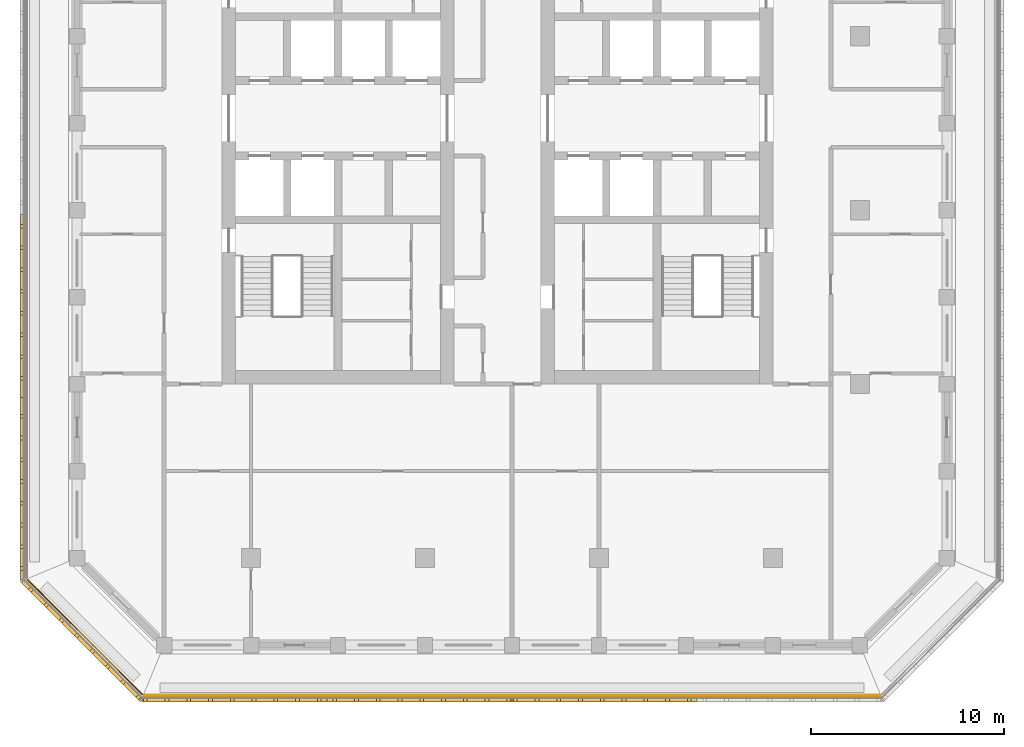
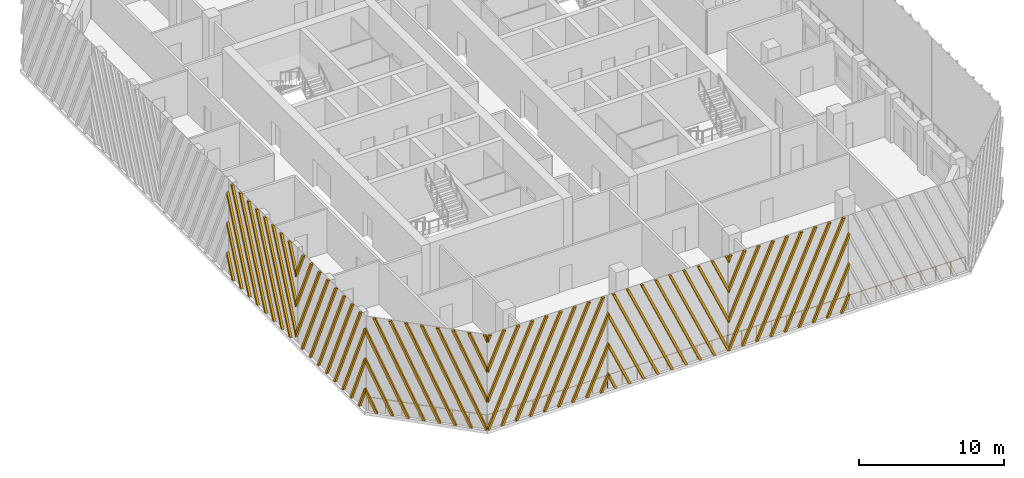
# One storey, part 9 of 17: 6 shading devices, 2 railings.
"""IFC4 building model written with IfcOpenShell, lengths in metres."""

from ifc_helpers import new_model, si_unit, direction, frame, origin, origin_2d, place, context, subcontext, project, spatial, polyline, circle, outline, extrude, source, transform, mapped, material, type_object, element, save


model = new_model("IFC4")

# Units and contexts
model_context = context("Model", 3, precision=1e-05, world=origin(), true_north=direction((0.0, 1.0)))
body_context = subcontext(model_context, "Body", "Model", "MODEL_VIEW")
ifc_project = project(units=[si_unit("LENGTHUNIT", "METRE"), si_unit("AREAUNIT", "SQUARE_METRE"), si_unit("VOLUMEUNIT", "CUBIC_METRE"), si_unit("PLANEANGLEUNIT", "RADIAN"), si_unit("MASSUNIT", "GRAM", prefix="KILO")], contexts=[model_context])

# Site, building, storey
site_placement = place(None, origin())
site = spatial("IfcSite", under=ifc_project, at=site_placement, CompositionType="ELEMENT")
building_placement = place(site_placement, origin())
building = spatial("IfcBuilding", under=site, at=building_placement, Name="Corbel Stack Research Tower", CompositionType="ELEMENT")
storey_placement = place(building_placement, frame((0.0, 0.0, 248.0)))
storey = spatial("IfcBuildingStorey", under=building, at=storey_placement, Name="L56", CompositionType="ELEMENT", Elevation=248.0)

# Railings
ifc_material_1 = material(Name="Powder-coated steel guard", Category="steel")
railing_type = type_object("IfcRailingType", Name="Steel and glass guard 1100", PredefinedType="GUARDRAIL", material=ifc_material_1)
railing_1_placement = place(storey_placement, frame((-14.50537109375, -25.10009765625, 0.0)))
element("IfcRailing", 1, at=railing_1_placement, inside=storey, type_object=railing_type, Name="Loggia guard L56 S", PredefinedType="GUARDRAIL", context=body_context, shape_type="SweptSolid", body=[
    extrude(circle(Radius=0.02392578125, at=origin_2d()), frame((0.0, 0.0, 1.076171875), z_axis=(1.0, 0.0, 0.0), x_axis=(0.0, 1.0, 0.0)), (0.0, 0.0, 1.0), 38.0107421875),
    extrude(circle(Radius=0.02099609375, at=origin_2d()), origin(), (0.0, 0.0, 1.0), 1.052001953125),
    extrude(circle(Radius=0.02099609375, at=origin_2d()), frame((1.187744140625, 0.0, 0.0)), (0.0, 0.0, 1.0), 1.052001953125),
    extrude(circle(Radius=0.02099609375, at=origin_2d()), frame((2.375732421875, 0.0, 0.0)), (0.0, 0.0, 1.0), 1.052001953125),
    extrude(circle(Radius=0.02099609375, at=origin_2d()), frame((3.5634765625, 0.0, 0.0)), (0.0, 0.0, 1.0), 1.052001953125),
    extrude(circle(Radius=0.02099609375, at=origin_2d()), frame((4.75146484375, 0.0, 0.0)), (0.0, 0.0, 1.0), 1.052001953125),
    extrude(circle(Radius=0.02099609375, at=origin_2d()), frame((5.939208984375, 0.0, 0.0)), (0.0, 0.0, 1.0), 1.052001953125),
    extrude(circle(Radius=0.02099609375, at=origin_2d()), frame((7.126953125, 0.0, 0.0)), (0.0, 0.0, 1.0), 1.052001953125),
    extrude(circle(Radius=0.02099609375, at=origin_2d()), frame((8.31494140625, 0.0, 0.0)), (0.0, 0.0, 1.0), 1.052001953125),
    extrude(circle(Radius=0.02099609375, at=origin_2d()), frame((9.502685546875, 0.0, 0.0)), (0.0, 0.0, 1.0), 1.052001953125),
    extrude(circle(Radius=0.02099609375, at=origin_2d()), frame((10.6904296875, 0.0, 0.0)), (0.0, 0.0, 1.0), 1.052001953125),
    extrude(circle(Radius=0.02099609375, at=origin_2d()), frame((11.87841796875, 0.0, 0.0)), (0.0, 0.0, 1.0), 1.052001953125),
    extrude(circle(Radius=0.02099609375, at=origin_2d()), frame((13.066162109375, 0.0, 0.0)), (0.0, 0.0, 1.0), 1.052001953125),
    extrude(circle(Radius=0.02099609375, at=origin_2d()), frame((14.25390625, 0.0, 0.0)), (0.0, 0.0, 1.0), 1.052001953125),
    extrude(circle(Radius=0.02099609375, at=origin_2d()), frame((15.44189453125, 0.0, 0.0)), (0.0, 0.0, 1.0), 1.052001953125),
    extrude(circle(Radius=0.02099609375, at=origin_2d()), frame((16.629638671875, 0.0, 0.0)), (0.0, 0.0, 1.0), 1.052001953125),
    extrude(circle(Radius=0.02099609375, at=origin_2d()), frame((17.817626953125, 0.0, 0.0)), (0.0, 0.0, 1.0), 1.052001953125),
    extrude(circle(Radius=0.02099609375, at=origin_2d()), frame((19.00537109375, 0.0, 0.0)), (0.0, 0.0, 1.0), 1.052001953125),
    extrude(circle(Radius=0.02099609375, at=origin_2d()), frame((20.193115234375, 0.0, 0.0)), (0.0, 0.0, 1.0), 1.052001953125),
    extrude(circle(Radius=0.02099609375, at=origin_2d()), frame((21.381103515625, 0.0, 0.0)), (0.0, 0.0, 1.0), 1.052001953125),
    extrude(circle(Radius=0.02099609375, at=origin_2d()), frame((22.56884765625, 0.0, 0.0)), (0.0, 0.0, 1.0), 1.052001953125),
    extrude(circle(Radius=0.02099609375, at=origin_2d()), frame((23.7568359375, 0.0, 0.0)), (0.0, 0.0, 1.0), 1.052001953125),
    extrude(circle(Radius=0.02099609375, at=origin_2d()), frame((24.944580078125, 0.0, 0.0)), (0.0, 0.0, 1.0), 1.052001953125),
    extrude(circle(Radius=0.02099609375, at=origin_2d()), frame((26.13232421875, 0.0, 0.0)), (0.0, 0.0, 1.0), 1.052001953125),
    extrude(circle(Radius=0.02099609375, at=origin_2d()), frame((27.3203125, 0.0, 0.0)), (0.0, 0.0, 1.0), 1.052001953125),
    extrude(circle(Radius=0.02099609375, at=origin_2d()), frame((28.508056640625, 0.0, 0.0)), (0.0, 0.0, 1.0), 1.052001953125),
    extrude(circle(Radius=0.02099609375, at=origin_2d()), frame((29.69580078125, 0.0, 0.0)), (0.0, 0.0, 1.0), 1.052001953125),
    extrude(circle(Radius=0.02099609375, at=origin_2d()), frame((30.8837890625, 0.0, 0.0)), (0.0, 0.0, 1.0), 1.052001953125),
    extrude(circle(Radius=0.02099609375, at=origin_2d()), frame((32.071533203125, 0.0, 0.0)), (0.0, 0.0, 1.0), 1.052001953125),
    extrude(circle(Radius=0.02099609375, at=origin_2d()), frame((33.25927734375, 0.0, 0.0)), (0.0, 0.0, 1.0), 1.052001953125),
    extrude(circle(Radius=0.02099609375, at=origin_2d()), frame((34.447265625, 0.0, 0.0)), (0.0, 0.0, 1.0), 1.052001953125),
    extrude(circle(Radius=0.02099609375, at=origin_2d()), frame((35.635009765625, 0.0, 0.0)), (0.0, 0.0, 1.0), 1.052001953125),
    extrude(circle(Radius=0.02099609375, at=origin_2d()), frame((36.822998046875, 0.0, 0.0)), (0.0, 0.0, 1.0), 1.052001953125),
    extrude(circle(Radius=0.02099609375, at=origin_2d()), frame((38.0107421875, 0.0, 0.0)), (0.0, 0.0, 1.0), 1.052001953125),
])
railing_2_placement = place(storey_placement, frame((-20.54931640625, -19.127685546875, 0.0)))
element("IfcRailing", 2, at=railing_2_placement, inside=storey, type_object=railing_type, Name="Loggia guard L56 SW", PredefinedType="GUARDRAIL", context=body_context, shape_type="SweptSolid", body=[
    extrude(circle(Radius=0.02392578125, at=origin_2d()), frame((0.0, 0.0, 1.076171875), z_axis=(0.707106781187, -0.707106781187, 0.0), x_axis=(0.707106781187, 0.707106781187, 0.0)), (0.0, 0.0, 1.0), 8.37451171875),
    extrude(circle(Radius=0.02099609375, at=origin_2d()), origin(), (0.0, 0.0, 1.0), 1.052001953125),
    extrude(circle(Radius=0.02099609375, at=origin_2d()), frame((0.845947265625, -0.845947265625, 0.0)), (0.0, 0.0, 1.0), 1.052001953125),
    extrude(circle(Radius=0.02099609375, at=origin_2d()), frame((1.69189453125, -1.69189453125, 0.0)), (0.0, 0.0, 1.0), 1.052001953125),
    extrude(circle(Radius=0.02099609375, at=origin_2d()), frame((2.537841796875, -2.537841796875, 0.0)), (0.0, 0.0, 1.0), 1.052001953125),
    extrude(circle(Radius=0.02099609375, at=origin_2d()), frame((3.3837890625, -3.3837890625, 0.0)), (0.0, 0.0, 1.0), 1.052001953125),
    extrude(circle(Radius=0.02099609375, at=origin_2d()), frame((4.229736328125, -4.229736328125, 0.0)), (0.0, 0.0, 1.0), 1.052001953125),
    extrude(circle(Radius=0.02099609375, at=origin_2d()), frame((5.07568359375, -5.07568359375, 0.0)), (0.0, 0.0, 1.0), 1.052001953125),
    extrude(circle(Radius=0.02099609375, at=origin_2d()), frame((5.921630859375, -5.921630859375, 0.0)), (0.0, 0.0, 1.0), 1.052001953125),
])

# Shading devices
ifc_material_2 = material(Name="Precast terracotta", Category="masonry")
shading_device_type = type_object("IfcShadingDeviceType", Name="Terracotta screen panel", PredefinedType="USERDEFINED", material=ifc_material_2)
shared_shape_1 = source(origin(), body_context, "Body", "SweptSolid", [
    extrude(outline(polyline([(0.259521484375, 7.949951171875), (0.069580078125, 7.949951171875), (0.0, 7.793701171875), (0.0, 7.366943359375), (0.259521484375, 7.949951171875)])), frame((0.0, 0.0, 0.0), z_axis=(0.0, -1.0, 0.0), x_axis=(1.0, 0.0, 0.0)), (0.0, 0.0, 1.0), 0.179931640625),
    extrude(outline(polyline([(1.384521484375, 7.949951171875), (1.194580078125, 7.949951171875), (0.0, 5.26708984375), (0.0, 4.840087890625), (1.384521484375, 7.949951171875)])), frame((0.0, 0.0, 0.0), z_axis=(0.0, -1.0, 0.0), x_axis=(1.0, 0.0, 0.0)), (0.0, 0.0, 1.0), 0.179931640625),
    extrude(outline(polyline([(2.509521484375, 7.949951171875), (2.319580078125, 7.949951171875), (0.0, 2.740234375), (0.0, 2.3134765625), (2.509521484375, 7.949951171875)])), frame((0.0, 0.0, 0.0), z_axis=(0.0, -1.0, 0.0), x_axis=(1.0, 0.0, 0.0)), (0.0, 0.0, 1.0), 0.179931640625),
    extrude(outline(polyline([(0.094970703125, 0.0), (3.634521484375, 7.949951171875), (3.444580078125, 7.949951171875), (0.0, 0.21337890625), (0.0, 0.0), (0.094970703125, 0.0)])), frame((0.0, 0.0, 0.0), z_axis=(0.0, -1.0, 0.0), x_axis=(1.0, 0.0, 0.0)), (0.0, 0.0, 1.0), 0.179931640625),
    extrude(outline(polyline([(1.219970703125, 0.0), (4.759521484375, 7.949951171875), (4.569580078125, 7.949951171875), (1.030029296875, 0.0), (1.219970703125, 0.0)])), frame((0.0, 0.0, 0.0), z_axis=(0.0, -1.0, 0.0), x_axis=(1.0, 0.0, 0.0)), (0.0, 0.0, 1.0), 0.179931640625),
    extrude(outline(polyline([(2.344970703125, 0.0), (5.884521484375, 7.949951171875), (5.694580078125, 7.949951171875), (2.155029296875, 0.0), (2.344970703125, 0.0)])), frame((0.0, 0.0, 0.0), z_axis=(0.0, -1.0, 0.0), x_axis=(1.0, 0.0, 0.0)), (0.0, 0.0, 1.0), 0.179931640625),
    extrude(outline(polyline([(3.469970703125, 0.0), (7.009521484375, 7.949951171875), (6.819580078125, 7.949951171875), (3.280029296875, 0.0), (3.469970703125, 0.0)])), frame((0.0, 0.0, 0.0), z_axis=(0.0, -1.0, 0.0), x_axis=(1.0, 0.0, 0.0)), (0.0, 0.0, 1.0), 0.179931640625),
    extrude(outline(polyline([(4.594970703125, 0.0), (8.134521484375, 7.949951171875), (7.944580078125, 7.949951171875), (4.405029296875, 0.0), (4.594970703125, 0.0)])), frame((0.0, 0.0, 0.0), z_axis=(0.0, -1.0, 0.0), x_axis=(1.0, 0.0, 0.0)), (0.0, 0.0, 1.0), 0.179931640625),
    extrude(outline(polyline([(5.719970703125, 0.0), (9.259521484375, 7.949951171875), (9.069580078125, 7.949951171875), (5.530029296875, 0.0), (5.719970703125, 0.0)])), frame((0.0, 0.0, 0.0), z_axis=(0.0, -1.0, 0.0), x_axis=(1.0, 0.0, 0.0)), (0.0, 0.0, 1.0), 0.179931640625),
    extrude(outline(polyline([(6.844970703125, 0.0), (9.569580078125, 6.119384765625), (9.569580078125, 6.546142578125), (6.655029296875, 0.0), (6.844970703125, 0.0)])), frame((0.0, 0.0, 0.0), z_axis=(0.0, -1.0, 0.0), x_axis=(1.0, 0.0, 0.0)), (0.0, 0.0, 1.0), 0.179931640625),
    extrude(outline(polyline([(7.969970703125, 0.0), (9.569580078125, 3.592529296875), (9.569580078125, 4.019287109375), (7.780029296875, 0.0), (7.969970703125, 0.0)])), frame((0.0, 0.0, 0.0), z_axis=(0.0, -1.0, 0.0), x_axis=(1.0, 0.0, 0.0)), (0.0, 0.0, 1.0), 0.179931640625),
    extrude(outline(polyline([(9.094970703125, 0.0), (9.569580078125, 1.06591796875), (9.569580078125, 1.49267578125), (8.905029296875, 0.0), (9.094970703125, 0.0)])), frame((0.0, 0.0, 0.0), z_axis=(0.0, -1.0, 0.0), x_axis=(1.0, 0.0, 0.0)), (0.0, 0.0, 1.0), 0.179931640625),
])
for number, where, z_axis, x_axis, name in (
    (3, (-14.63916015625, -25.25, 0.0), (0.0, 0.0, 1.0), (1.0, 0.0, 0.0), "Terracotta screen L56 S1"),
    (4, (4.5, -25.25, 0.0), (0.0, 0.0, 1.0), (1.0, 0.0, 0.0), "Terracotta screen L56 S3"),
):
    element("IfcShadingDevice", number, at=place(storey_placement, frame(where, z_axis=z_axis, x_axis=x_axis)), inside=storey, type_object=shading_device_type, Name=name, ObjectType="SCREEN", PredefinedType="USERDEFINED", context=body_context, shape_type="MappedRepresentation", body=[
        mapped(shared_shape_1, transform((0.0, 0.0, 0.0))),
    ])
shared_shape_2 = source(origin(), body_context, "Body", "SweptSolid", [
    extrude(outline(polyline([(0.66455078125, 0.0), (0.0, 1.49267578125), (0.0, 1.06591796875), (0.474609375, 0.0), (0.66455078125, 0.0)])), frame((0.0, 0.0, 0.0), z_axis=(0.0, -1.0, 0.0), x_axis=(1.0, 0.0, 0.0)), (0.0, 0.0, 1.0), 0.179931640625),
    extrude(outline(polyline([(1.78955078125, 0.0), (0.0, 4.019287109375), (0.0, 3.592529296875), (1.599609375, 0.0), (1.78955078125, 0.0)])), frame((0.0, 0.0, 0.0), z_axis=(0.0, -1.0, 0.0), x_axis=(1.0, 0.0, 0.0)), (0.0, 0.0, 1.0), 0.179931640625),
    extrude(outline(polyline([(2.91455078125, 0.0), (0.0, 6.546142578125), (0.0, 6.119384765625), (2.724609375, 0.0), (2.91455078125, 0.0)])), frame((0.0, 0.0, 0.0), z_axis=(0.0, -1.0, 0.0), x_axis=(1.0, 0.0, 0.0)), (0.0, 0.0, 1.0), 0.179931640625),
    extrude(outline(polyline([(4.03955078125, 0.0), (0.5, 7.949951171875), (0.31005859375, 7.949951171875), (3.849609375, 0.0), (4.03955078125, 0.0)])), frame((0.0, 0.0, 0.0), z_axis=(0.0, -1.0, 0.0), x_axis=(1.0, 0.0, 0.0)), (0.0, 0.0, 1.0), 0.179931640625),
    extrude(outline(polyline([(5.16455078125, 0.0), (1.625, 7.949951171875), (1.43505859375, 7.949951171875), (4.974609375, 0.0), (5.16455078125, 0.0)])), frame((0.0, 0.0, 0.0), z_axis=(0.0, -1.0, 0.0), x_axis=(1.0, 0.0, 0.0)), (0.0, 0.0, 1.0), 0.179931640625),
    extrude(outline(polyline([(6.28955078125, 0.0), (2.75, 7.949951171875), (2.56005859375, 7.949951171875), (6.099609375, 0.0), (6.28955078125, 0.0)])), frame((0.0, 0.0, 0.0), z_axis=(0.0, -1.0, 0.0), x_axis=(1.0, 0.0, 0.0)), (0.0, 0.0, 1.0), 0.179931640625),
    extrude(outline(polyline([(7.41455078125, 0.0), (3.875, 7.949951171875), (3.68505859375, 7.949951171875), (7.224609375, 0.0), (7.41455078125, 0.0)])), frame((0.0, 0.0, 0.0), z_axis=(0.0, -1.0, 0.0), x_axis=(1.0, 0.0, 0.0)), (0.0, 0.0, 1.0), 0.179931640625),
    extrude(outline(polyline([(8.53955078125, 0.0), (5.0, 7.949951171875), (4.81005859375, 7.949951171875), (8.349609375, 0.0), (8.53955078125, 0.0)])), frame((0.0, 0.0, 0.0), z_axis=(0.0, -1.0, 0.0), x_axis=(1.0, 0.0, 0.0)), (0.0, 0.0, 1.0), 0.179931640625),
    extrude(outline(polyline([(9.569580078125, 0.0), (9.569580078125, 0.21337890625), (6.125, 7.949951171875), (5.93505859375, 7.949951171875), (9.474609375, 0.0), (9.569580078125, 0.0)])), frame((0.0, 0.0, 0.0), z_axis=(0.0, -1.0, 0.0), x_axis=(1.0, 0.0, 0.0)), (0.0, 0.0, 1.0), 0.179931640625),
    extrude(outline(polyline([(7.25, 7.949951171875), (7.06005859375, 7.949951171875), (9.569580078125, 2.3134765625), (9.569580078125, 2.740234375), (7.25, 7.949951171875)])), frame((0.0, 0.0, 0.0), z_axis=(0.0, -1.0, 0.0), x_axis=(1.0, 0.0, 0.0)), (0.0, 0.0, 1.0), 0.179931640625),
    extrude(outline(polyline([(8.375, 7.949951171875), (8.18505859375, 7.949951171875), (9.569580078125, 4.840087890625), (9.569580078125, 5.26708984375), (8.375, 7.949951171875)])), frame((0.0, 0.0, 0.0), z_axis=(0.0, -1.0, 0.0), x_axis=(1.0, 0.0, 0.0)), (0.0, 0.0, 1.0), 0.179931640625),
    extrude(outline(polyline([(9.5, 7.949951171875), (9.31005859375, 7.949951171875), (9.569580078125, 7.366943359375), (9.569580078125, 7.793701171875), (9.5, 7.949951171875)])), frame((0.0, 0.0, 0.0), z_axis=(0.0, -1.0, 0.0), x_axis=(1.0, 0.0, 0.0)), (0.0, 0.0, 1.0), 0.179931640625),
])
shading_device_1_placement = place(storey_placement, frame((-5.069580078125, -25.25, 0.0), z_axis=(0.0, 0.0, 1.0), x_axis=(1.0, 0.0, 0.0)))
element("IfcShadingDevice", 5, at=shading_device_1_placement, inside=storey, type_object=shading_device_type, Name="Terracotta screen L56 S2", ObjectType="SCREEN", PredefinedType="USERDEFINED", context=body_context, shape_type="MappedRepresentation", body=[
    mapped(shared_shape_2, transform((0.0, 0.0, 0.0))),
])
shared_shape_3 = source(origin(), body_context, "Body", "SweptSolid", [
    extrude(outline(polyline([(0.862060546875, 0.0), (0.0, 1.936279296875), (0.0, 1.509521484375), (0.672119140625, 0.0), (0.862060546875, 0.0)])), frame((0.0, 0.0, 0.0), z_axis=(0.0, -1.0, 0.0), x_axis=(1.0, 0.0, 0.0)), (0.0, 0.0, 1.0), 0.179931640625),
    extrude(outline(polyline([(1.987060546875, 0.0), (0.0, 4.463134765625), (0.0, 4.036376953125), (1.797119140625, 0.0), (1.987060546875, 0.0)])), frame((0.0, 0.0, 0.0), z_axis=(0.0, -1.0, 0.0), x_axis=(1.0, 0.0, 0.0)), (0.0, 0.0, 1.0), 0.179931640625),
    extrude(outline(polyline([(3.112060546875, 0.0), (0.0, 6.989990234375), (0.0, 6.563232421875), (2.922119140625, 0.0), (3.112060546875, 0.0)])), frame((0.0, 0.0, 0.0), z_axis=(0.0, -1.0, 0.0), x_axis=(1.0, 0.0, 0.0)), (0.0, 0.0, 1.0), 0.179931640625),
    extrude(outline(polyline([(4.237060546875, 0.0), (0.697509765625, 7.949951171875), (0.507568359375, 7.949951171875), (4.047119140625, 0.0), (4.237060546875, 0.0)])), frame((0.0, 0.0, 0.0), z_axis=(0.0, -1.0, 0.0), x_axis=(1.0, 0.0, 0.0)), (0.0, 0.0, 1.0), 0.179931640625),
    extrude(outline(polyline([(5.362060546875, 0.0), (1.822509765625, 7.949951171875), (1.632568359375, 7.949951171875), (5.172119140625, 0.0), (5.362060546875, 0.0)])), frame((0.0, 0.0, 0.0), z_axis=(0.0, -1.0, 0.0), x_axis=(1.0, 0.0, 0.0)), (0.0, 0.0, 1.0), 0.179931640625),
    extrude(outline(polyline([(6.487060546875, 0.0), (2.947509765625, 7.949951171875), (2.757568359375, 7.949951171875), (6.297119140625, 0.0), (6.487060546875, 0.0)])), frame((0.0, 0.0, 0.0), z_axis=(0.0, -1.0, 0.0), x_axis=(1.0, 0.0, 0.0)), (0.0, 0.0, 1.0), 0.179931640625),
    extrude(outline(polyline([(7.612060546875, 0.0), (4.072509765625, 7.949951171875), (3.882568359375, 7.949951171875), (7.422119140625, 0.0), (7.612060546875, 0.0)])), frame((0.0, 0.0, 0.0), z_axis=(0.0, -1.0, 0.0), x_axis=(1.0, 0.0, 0.0)), (0.0, 0.0, 1.0), 0.179931640625),
    extrude(outline(polyline([(8.737060546875, 0.0), (5.197509765625, 7.949951171875), (5.007568359375, 7.949951171875), (8.547119140625, 0.0), (8.737060546875, 0.0)])), frame((0.0, 0.0, 0.0), z_axis=(0.0, -1.0, 0.0), x_axis=(1.0, 0.0, 0.0)), (0.0, 0.0, 1.0), 0.179931640625),
    extrude(outline(polyline([(6.322509765625, 7.949951171875), (6.132568359375, 7.949951171875), (9.45556640625, 0.486328125), (9.45556640625, 0.9130859375), (6.322509765625, 7.949951171875)])), frame((0.0, 0.0, 0.0), z_axis=(0.0, -1.0, 0.0), x_axis=(1.0, 0.0, 0.0)), (0.0, 0.0, 1.0), 0.179931640625),
    extrude(outline(polyline([(7.447509765625, 7.949951171875), (7.257568359375, 7.949951171875), (9.45556640625, 3.01318359375), (9.45556640625, 3.439697265625), (7.447509765625, 7.949951171875)])), frame((0.0, 0.0, 0.0), z_axis=(0.0, -1.0, 0.0), x_axis=(1.0, 0.0, 0.0)), (0.0, 0.0, 1.0), 0.179931640625),
    extrude(outline(polyline([(8.572509765625, 7.949951171875), (8.382568359375, 7.949951171875), (9.45556640625, 5.539794921875), (9.45556640625, 5.966552734375), (8.572509765625, 7.949951171875)])), frame((0.0, 0.0, 0.0), z_axis=(0.0, -1.0, 0.0), x_axis=(1.0, 0.0, 0.0)), (0.0, 0.0, 1.0), 0.179931640625),
])
shading_device_2_placement = place(storey_placement, frame((-20.75, -0.227783203125, 0.0), z_axis=(0.0, 0.0, 1.0), x_axis=(0.0, -1.0, 0.0)))
element("IfcShadingDevice", 6, at=shading_device_2_placement, inside=storey, type_object=shading_device_type, Name="Terracotta screen L56 W4", ObjectType="SCREEN", PredefinedType="USERDEFINED", context=body_context, shape_type="MappedRepresentation", body=[
    mapped(shared_shape_3, transform((0.0, 0.0, 0.0))),
])
shared_shape_4 = source(origin(), body_context, "Body", "SweptSolid", [
    extrude(outline(polyline([(1.072998046875, 7.949951171875), (0.883056640625, 7.949951171875), (0.0, 5.966552734375), (0.0, 5.539794921875), (1.072998046875, 7.949951171875)])), frame((0.0, 0.0, 0.0), z_axis=(0.0, -1.0, 0.0), x_axis=(1.0, 0.0, 0.0)), (0.0, 0.0, 1.0), 0.179931640625),
    extrude(outline(polyline([(2.197998046875, 7.949951171875), (2.008056640625, 7.949951171875), (0.0, 3.439697265625), (0.0, 3.01318359375), (2.197998046875, 7.949951171875)])), frame((0.0, 0.0, 0.0), z_axis=(0.0, -1.0, 0.0), x_axis=(1.0, 0.0, 0.0)), (0.0, 0.0, 1.0), 0.179931640625),
    extrude(outline(polyline([(3.322998046875, 7.949951171875), (3.133056640625, 7.949951171875), (0.0, 0.9130859375), (0.0, 0.486328125), (3.322998046875, 7.949951171875)])), frame((0.0, 0.0, 0.0), z_axis=(0.0, -1.0, 0.0), x_axis=(1.0, 0.0, 0.0)), (0.0, 0.0, 1.0), 0.179931640625),
    extrude(outline(polyline([(0.908447265625, 0.0), (4.447998046875, 7.949951171875), (4.258056640625, 7.949951171875), (0.718505859375, 0.0), (0.908447265625, 0.0)])), frame((0.0, 0.0, 0.0), z_axis=(0.0, -1.0, 0.0), x_axis=(1.0, 0.0, 0.0)), (0.0, 0.0, 1.0), 0.179931640625),
    extrude(outline(polyline([(2.033447265625, 0.0), (5.572998046875, 7.949951171875), (5.383056640625, 7.949951171875), (1.843505859375, 0.0), (2.033447265625, 0.0)])), frame((0.0, 0.0, 0.0), z_axis=(0.0, -1.0, 0.0), x_axis=(1.0, 0.0, 0.0)), (0.0, 0.0, 1.0), 0.179931640625),
    extrude(outline(polyline([(3.158447265625, 0.0), (6.697998046875, 7.949951171875), (6.508056640625, 7.949951171875), (2.968505859375, 0.0), (3.158447265625, 0.0)])), frame((0.0, 0.0, 0.0), z_axis=(0.0, -1.0, 0.0), x_axis=(1.0, 0.0, 0.0)), (0.0, 0.0, 1.0), 0.179931640625),
    extrude(outline(polyline([(4.283447265625, 0.0), (7.822998046875, 7.949951171875), (7.633056640625, 7.949951171875), (4.093505859375, 0.0), (4.283447265625, 0.0)])), frame((0.0, 0.0, 0.0), z_axis=(0.0, -1.0, 0.0), x_axis=(1.0, 0.0, 0.0)), (0.0, 0.0, 1.0), 0.179931640625),
    extrude(outline(polyline([(5.408447265625, 0.0), (8.947998046875, 7.949951171875), (8.758056640625, 7.949951171875), (5.218505859375, 0.0), (5.408447265625, 0.0)])), frame((0.0, 0.0, 0.0), z_axis=(0.0, -1.0, 0.0), x_axis=(1.0, 0.0, 0.0)), (0.0, 0.0, 1.0), 0.179931640625),
    extrude(outline(polyline([(6.533447265625, 0.0), (9.45556640625, 6.563232421875), (9.45556640625, 6.989990234375), (6.343505859375, 0.0), (6.533447265625, 0.0)])), frame((0.0, 0.0, 0.0), z_axis=(0.0, -1.0, 0.0), x_axis=(1.0, 0.0, 0.0)), (0.0, 0.0, 1.0), 0.179931640625),
    extrude(outline(polyline([(7.658447265625, 0.0), (9.45556640625, 4.036376953125), (9.45556640625, 4.463134765625), (7.468505859375, 0.0), (7.658447265625, 0.0)])), frame((0.0, 0.0, 0.0), z_axis=(0.0, -1.0, 0.0), x_axis=(1.0, 0.0, 0.0)), (0.0, 0.0, 1.0), 0.179931640625),
    extrude(outline(polyline([(8.783447265625, 0.0), (9.45556640625, 1.509521484375), (9.45556640625, 1.936279296875), (8.593505859375, 0.0), (8.783447265625, 0.0)])), frame((0.0, 0.0, 0.0), z_axis=(0.0, -1.0, 0.0), x_axis=(1.0, 0.0, 0.0)), (0.0, 0.0, 1.0), 0.179931640625),
])
shading_device_3_placement = place(storey_placement, frame((-20.75, -9.68359375, 0.0), z_axis=(0.0, 0.0, 1.0), x_axis=(0.0, -1.0, 0.0)))
element("IfcShadingDevice", 7, at=shading_device_3_placement, inside=storey, type_object=shading_device_type, Name="Terracotta screen L56 W5", ObjectType="SCREEN", PredefinedType="USERDEFINED", context=body_context, shape_type="MappedRepresentation", body=[
    mapped(shared_shape_4, transform((0.0, 0.0, 0.0))),
])
shared_shape_5 = source(origin(), body_context, "Body", "SweptSolid", [
    extrude(outline(polyline([(0.862060546875, 0.0), (0.0, 1.936279296875), (0.0, 1.509521484375), (0.672119140625, 0.0), (0.862060546875, 0.0)])), frame((0.0, 0.0, 0.0), z_axis=(0.0, -1.0, 0.0), x_axis=(1.0, 0.0, 0.0)), (0.0, 0.0, 1.0), 0.179931640625),
    extrude(outline(polyline([(1.987060546875, 0.0), (0.0, 4.463134765625), (0.0, 4.036376953125), (1.797119140625, 0.0), (1.987060546875, 0.0)])), frame((0.0, 0.0, 0.0), z_axis=(0.0, -1.0, 0.0), x_axis=(1.0, 0.0, 0.0)), (0.0, 0.0, 1.0), 0.179931640625),
    extrude(outline(polyline([(3.112060546875, 0.0), (0.0, 6.989990234375), (0.0, 6.563232421875), (2.922119140625, 0.0), (3.112060546875, 0.0)])), frame((0.0, 0.0, 0.0), z_axis=(0.0, -1.0, 0.0), x_axis=(1.0, 0.0, 0.0)), (0.0, 0.0, 1.0), 0.179931640625),
    extrude(outline(polyline([(4.237060546875, 0.0), (0.697509765625, 7.949951171875), (0.507568359375, 7.949951171875), (4.047119140625, 0.0), (4.237060546875, 0.0)])), frame((0.0, 0.0, 0.0), z_axis=(0.0, -1.0, 0.0), x_axis=(1.0, 0.0, 0.0)), (0.0, 0.0, 1.0), 0.179931640625),
    extrude(outline(polyline([(5.362060546875, 0.0), (1.822509765625, 7.949951171875), (1.632568359375, 7.949951171875), (5.172119140625, 0.0), (5.362060546875, 0.0)])), frame((0.0, 0.0, 0.0), z_axis=(0.0, -1.0, 0.0), x_axis=(1.0, 0.0, 0.0)), (0.0, 0.0, 1.0), 0.179931640625),
    extrude(outline(polyline([(6.487060546875, 0.0), (2.947509765625, 7.949951171875), (2.757568359375, 7.949951171875), (6.297119140625, 0.0), (6.487060546875, 0.0)])), frame((0.0, 0.0, 0.0), z_axis=(0.0, -1.0, 0.0), x_axis=(1.0, 0.0, 0.0)), (0.0, 0.0, 1.0), 0.179931640625),
    extrude(outline(polyline([(7.612060546875, 0.0), (4.072509765625, 7.949951171875), (3.882568359375, 7.949951171875), (7.422119140625, 0.0), (7.612060546875, 0.0)])), frame((0.0, 0.0, 0.0), z_axis=(0.0, -1.0, 0.0), x_axis=(1.0, 0.0, 0.0)), (0.0, 0.0, 1.0), 0.179931640625),
    extrude(outline(polyline([(8.64208984375, 0.0), (8.64208984375, 0.21337890625), (5.197509765625, 7.949951171875), (5.007568359375, 7.949951171875), (8.547119140625, 0.0), (8.64208984375, 0.0)])), frame((0.0, 0.0, 0.0), z_axis=(0.0, -1.0, 0.0), x_axis=(1.0, 0.0, 0.0)), (0.0, 0.0, 1.0), 0.179931640625),
    extrude(outline(polyline([(6.322509765625, 7.949951171875), (6.132568359375, 7.949951171875), (8.64208984375, 2.3134765625), (8.64208984375, 2.740234375), (6.322509765625, 7.949951171875)])), frame((0.0, 0.0, 0.0), z_axis=(0.0, -1.0, 0.0), x_axis=(1.0, 0.0, 0.0)), (0.0, 0.0, 1.0), 0.179931640625),
    extrude(outline(polyline([(7.447509765625, 7.949951171875), (7.257568359375, 7.949951171875), (8.64208984375, 4.840087890625), (8.64208984375, 5.26708984375), (7.447509765625, 7.949951171875)])), frame((0.0, 0.0, 0.0), z_axis=(0.0, -1.0, 0.0), x_axis=(1.0, 0.0, 0.0)), (0.0, 0.0, 1.0), 0.179931640625),
    extrude(outline(polyline([(8.572509765625, 7.949951171875), (8.382568359375, 7.949951171875), (8.64208984375, 7.366943359375), (8.64208984375, 7.793701171875), (8.572509765625, 7.949951171875)])), frame((0.0, 0.0, 0.0), z_axis=(0.0, -1.0, 0.0), x_axis=(1.0, 0.0, 0.0)), (0.0, 0.0, 1.0), 0.179931640625),
])
shading_device_4_placement = place(storey_placement, frame((-20.75, -19.13916015625, 0.0), z_axis=(0.0, 0.0, 1.0), x_axis=(0.707106781187, -0.707106781187, 0.0)))
element("IfcShadingDevice", 8, at=shading_device_4_placement, inside=storey, type_object=shading_device_type, Name="Terracotta screen L56 SW1", ObjectType="SCREEN", PredefinedType="USERDEFINED", context=body_context, shape_type="MappedRepresentation", body=[
    mapped(shared_shape_5, transform((0.0, 0.0, 0.0))),
])

save(model, "model.ifc")
